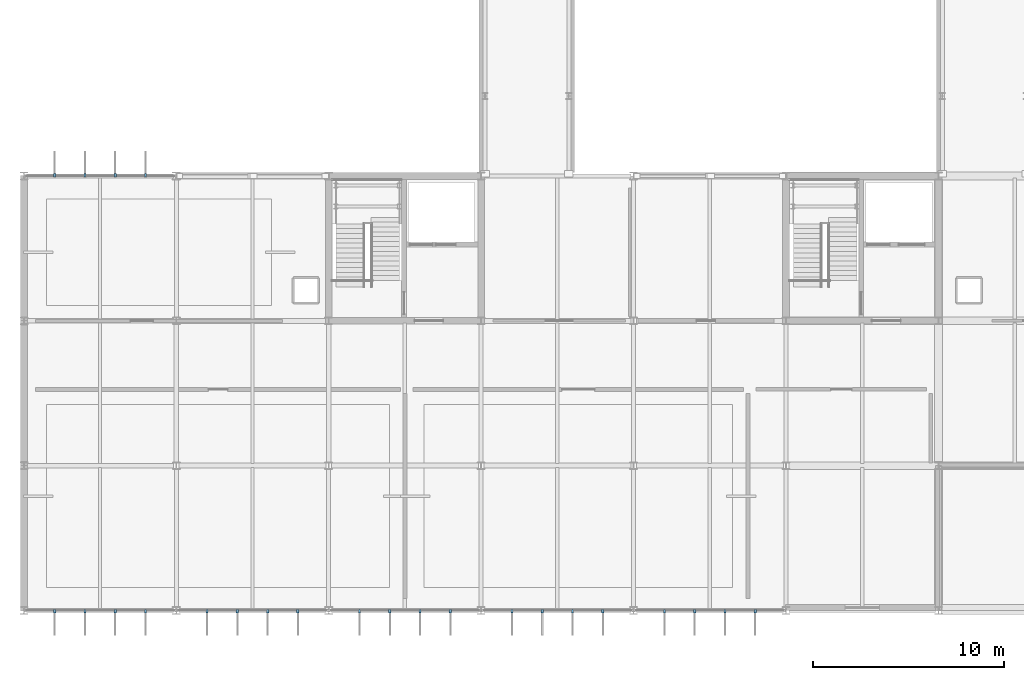
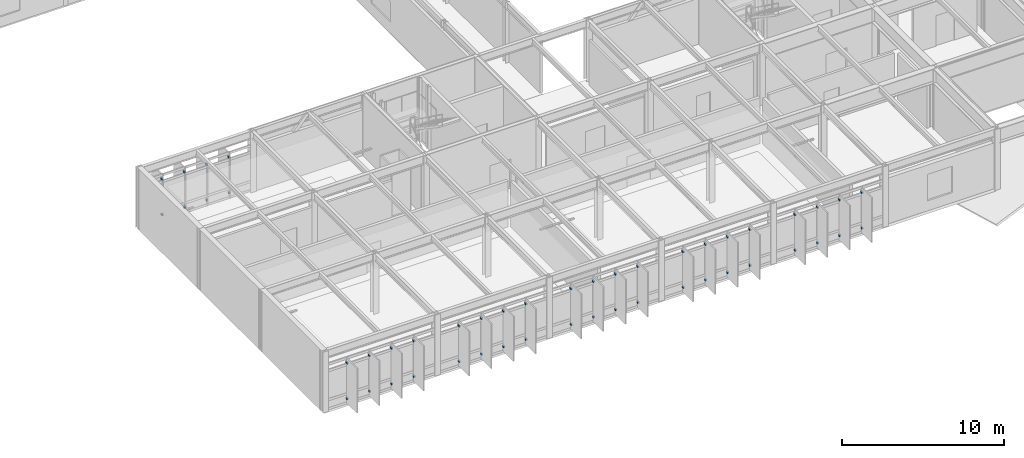
# One storey, part 92 of 104: 48 discrete accessories.
"""IFC4 building model written with IfcOpenShell, lengths in metres."""

from ifc_helpers import new_model, si_unit, direction, frame, origin, origin_2d, place, context, subcontext, project, spatial, rectangle, extrude, material, layer, layer_set, type_object, element, save


model = new_model("IFC4")

# Units and contexts
model_context = context("Model", 3, precision=1e-05, world=origin(), true_north=direction((0.0, 1.0)))
body_context = subcontext(model_context, "Body", "Model", "MODEL_VIEW")
ifc_project = project(units=[si_unit("LENGTHUNIT", "METRE"), si_unit("AREAUNIT", "SQUARE_METRE"), si_unit("VOLUMEUNIT", "CUBIC_METRE"), si_unit("PLANEANGLEUNIT", "RADIAN"), si_unit("MASSUNIT", "GRAM", prefix="KILO")], contexts=[model_context])

# Site, building, storey
site_placement = place(None, origin())
site = spatial("IfcSite", under=ifc_project, at=site_placement, CompositionType="ELEMENT")
building_placement = place(site_placement, origin())
building = spatial("IfcBuilding", under=site, at=building_placement, Name="Zulena Civic Courthouse", CompositionType="ELEMENT")
storey_placement = place(building_placement, frame((0.0, 0.0, 10.800048828125)))
storey = spatial("IfcBuildingStorey", under=building, at=storey_placement, Name="L02", CompositionType="ELEMENT", Elevation=10.800048828125)

# Discrete accessories
ifc_material = material(Name="Gold anodised architectural aluminium AA6063-T6", Category="aluminium")
ifc_layer = layer(ifc_material, 0.1201171875)
ifc_layer_set = layer_set([ifc_layer], Name="Gold anodised architectural aluminium AA6063-T6")
discrete_accessory_type = type_object("IfcDiscreteAccessoryType", Name="FinOutriggerBracket", PredefinedType="BRACKET", material=ifc_layer_set)
for number, where, z_axis, x_axis, name in (
    (1, (5.617919921875, 22.844970703125, 0.33984375), (0.0, 0.0, 1.0), (0.0, 1.0, 0.0), "brk:V2:L02:1:0:1:11.20"),
    (2, (5.617919921875, 22.844970703125, 3.02978515625), (0.0, 0.0, 1.0), (0.0, 1.0, 0.0), "brk:V2:L02:1:0:1:13.89"),
    (3, (7.2060546875, 22.844970703125, 0.33984375), (0.0, 0.0, 1.0), (0.0, 1.0, 0.0), "brk:V2:L02:1:0:2:11.20"),
    (4, (7.2060546875, 22.844970703125, 3.02978515625), (0.0, 0.0, 1.0), (0.0, 1.0, 0.0), "brk:V2:L02:1:0:2:13.89"),
    (5, (8.7939453125, 22.844970703125, 0.33984375), (0.0, 0.0, 1.0), (0.0, 1.0, 0.0), "brk:V2:L02:1:0:3:11.20"),
    (6, (8.7939453125, 22.844970703125, 3.02978515625), (0.0, 0.0, 1.0), (0.0, 1.0, 0.0), "brk:V2:L02:1:0:3:13.89"),
    (7, (10.382080078125, 22.844970703125, 0.33984375), (0.0, 0.0, 1.0), (0.0, 1.0, 0.0), "brk:V2:L02:1:0:4:11.20"),
    (8, (10.382080078125, 22.844970703125, 3.02978515625), (0.0, 0.0, 1.0), (0.0, 1.0, 0.0), "brk:V2:L02:1:0:4:13.89"),
    (9, (42.382080078125, -0.044921875, 0.33984375), (0.0, 0.0, 1.0), (0.0, -1.0, 0.0), "brk:V2:L02:5:1:1:11.20"),
    (10, (42.382080078125, -0.044921875, 3.02978515625), (0.0, 0.0, 1.0), (0.0, -1.0, 0.0), "brk:V2:L02:5:1:1:13.89"),
    (11, (40.7939453125, -0.044921875, 0.33984375), (0.0, 0.0, 1.0), (0.0, -1.0, 0.0), "brk:V2:L02:5:1:2:11.20"),
    (12, (40.7939453125, -0.044921875, 3.02978515625), (0.0, 0.0, 1.0), (0.0, -1.0, 0.0), "brk:V2:L02:5:1:2:13.89"),
    (13, (39.2060546875, -0.044921875, 0.33984375), (0.0, 0.0, 1.0), (0.0, -1.0, 0.0), "brk:V2:L02:5:1:3:11.20"),
    (14, (39.2060546875, -0.044921875, 3.02978515625), (0.0, 0.0, 1.0), (0.0, -1.0, 0.0), "brk:V2:L02:5:1:3:13.89"),
    (15, (37.617919921875, -0.044921875, 0.33984375), (0.0, 0.0, 1.0), (0.0, -1.0, 0.0), "brk:V2:L02:5:1:4:11.20"),
    (16, (37.617919921875, -0.044921875, 3.02978515625), (0.0, 0.0, 1.0), (0.0, -1.0, 0.0), "brk:V2:L02:5:1:4:13.89"),
    (17, (34.382080078125, -0.044921875, 0.33984375), (0.0, 0.0, 1.0), (0.0, -1.0, 0.0), "brk:V2:L02:5:2:1:11.20"),
    (18, (34.382080078125, -0.044921875, 3.02978515625), (0.0, 0.0, 1.0), (0.0, -1.0, 0.0), "brk:V2:L02:5:2:1:13.89"),
    (19, (32.7939453125, -0.044921875, 0.33984375), (0.0, 0.0, 1.0), (0.0, -1.0, 0.0), "brk:V2:L02:5:2:2:11.20"),
    (20, (32.7939453125, -0.044921875, 3.02978515625), (0.0, 0.0, 1.0), (0.0, -1.0, 0.0), "brk:V2:L02:5:2:2:13.89"),
    (21, (31.2060546875, -0.044921875, 0.33984375), (0.0, 0.0, 1.0), (0.0, -1.0, 0.0), "brk:V2:L02:5:2:3:11.20"),
    (22, (31.2060546875, -0.044921875, 3.02978515625), (0.0, 0.0, 1.0), (0.0, -1.0, 0.0), "brk:V2:L02:5:2:3:13.89"),
    (23, (29.617919921875, -0.044921875, 0.33984375), (0.0, 0.0, 1.0), (0.0, -1.0, 0.0), "brk:V2:L02:5:2:4:11.20"),
    (24, (29.617919921875, -0.044921875, 3.02978515625), (0.0, 0.0, 1.0), (0.0, -1.0, 0.0), "brk:V2:L02:5:2:4:13.89"),
    (25, (26.382080078125, -0.044921875, 0.33984375), (0.0, 0.0, 1.0), (0.0, -1.0, 0.0), "brk:V2:L02:5:3:1:11.20"),
    (26, (26.382080078125, -0.044921875, 3.02978515625), (0.0, 0.0, 1.0), (0.0, -1.0, 0.0), "brk:V2:L02:5:3:1:13.89"),
    (27, (24.7939453125, -0.044921875, 0.33984375), (0.0, 0.0, 1.0), (0.0, -1.0, 0.0), "brk:V2:L02:5:3:2:11.20"),
    (28, (24.7939453125, -0.044921875, 3.02978515625), (0.0, 0.0, 1.0), (0.0, -1.0, 0.0), "brk:V2:L02:5:3:2:13.89"),
    (29, (23.2060546875, -0.044921875, 0.33984375), (0.0, 0.0, 1.0), (0.0, -1.0, 0.0), "brk:V2:L02:5:3:3:11.20"),
    (30, (23.2060546875, -0.044921875, 3.02978515625), (0.0, 0.0, 1.0), (0.0, -1.0, 0.0), "brk:V2:L02:5:3:3:13.89"),
    (31, (21.617919921875, -0.044921875, 0.33984375), (0.0, 0.0, 1.0), (0.0, -1.0, 0.0), "brk:V2:L02:5:3:4:11.20"),
    (32, (21.617919921875, -0.044921875, 3.02978515625), (0.0, 0.0, 1.0), (0.0, -1.0, 0.0), "brk:V2:L02:5:3:4:13.89"),
    (33, (18.382080078125, -0.044921875, 0.33984375), (0.0, 0.0, 1.0), (0.0, -1.0, 0.0), "brk:V2:L02:5:4:1:11.20"),
    (34, (18.382080078125, -0.044921875, 3.02978515625), (0.0, 0.0, 1.0), (0.0, -1.0, 0.0), "brk:V2:L02:5:4:1:13.89"),
    (35, (16.7939453125, -0.044921875, 0.33984375), (0.0, 0.0, 1.0), (0.0, -1.0, 0.0), "brk:V2:L02:5:4:2:11.20"),
    (36, (16.7939453125, -0.044921875, 3.02978515625), (0.0, 0.0, 1.0), (0.0, -1.0, 0.0), "brk:V2:L02:5:4:2:13.89"),
    (37, (15.2060546875, -0.044921875, 0.33984375), (0.0, 0.0, 1.0), (0.0, -1.0, 0.0), "brk:V2:L02:5:4:3:11.20"),
    (38, (15.2060546875, -0.044921875, 3.02978515625), (0.0, 0.0, 1.0), (0.0, -1.0, 0.0), "brk:V2:L02:5:4:3:13.89"),
    (39, (13.617919921875, -0.044921875, 0.33984375), (0.0, 0.0, 1.0), (0.0, -1.0, 0.0), "brk:V2:L02:5:4:4:11.20"),
    (40, (13.617919921875, -0.044921875, 3.02978515625), (0.0, 0.0, 1.0), (0.0, -1.0, 0.0), "brk:V2:L02:5:4:4:13.89"),
    (41, (10.382080078125, -0.044921875, 0.33984375), (0.0, 0.0, 1.0), (0.0, -1.0, 0.0), "brk:V2:L02:5:5:1:11.20"),
    (42, (10.382080078125, -0.044921875, 3.02978515625), (0.0, 0.0, 1.0), (0.0, -1.0, 0.0), "brk:V2:L02:5:5:1:13.89"),
    (43, (8.7939453125, -0.044921875, 0.33984375), (0.0, 0.0, 1.0), (0.0, -1.0, 0.0), "brk:V2:L02:5:5:2:11.20"),
    (44, (8.7939453125, -0.044921875, 3.02978515625), (0.0, 0.0, 1.0), (0.0, -1.0, 0.0), "brk:V2:L02:5:5:2:13.89"),
    (45, (7.2060546875, -0.044921875, 0.33984375), (0.0, 0.0, 1.0), (0.0, -1.0, 0.0), "brk:V2:L02:5:5:3:11.20"),
    (46, (7.2060546875, -0.044921875, 3.02978515625), (0.0, 0.0, 1.0), (0.0, -1.0, 0.0), "brk:V2:L02:5:5:3:13.89"),
    (47, (5.617919921875, -0.044921875, 0.33984375), (0.0, 0.0, 1.0), (0.0, -1.0, 0.0), "brk:V2:L02:5:5:4:11.20"),
    (48, (5.617919921875, -0.044921875, 3.02978515625), (0.0, 0.0, 1.0), (0.0, -1.0, 0.0), "brk:V2:L02:5:5:4:13.89"),
):
    element("IfcDiscreteAccessory", number, at=place(storey_placement, frame(where, z_axis=z_axis, x_axis=x_axis)), inside=storey, type_object=discrete_accessory_type, Name=name, PredefinedType="BRACKET", context=body_context, shape_type="SweptSolid", body=[
        extrude(rectangle(XDim=0.179931640625, YDim=0.1201171875, at=origin_2d()), origin(), (0.0, 0.0, 1.0), 0.1201171875),
    ])

save(model, "model.ifc")
